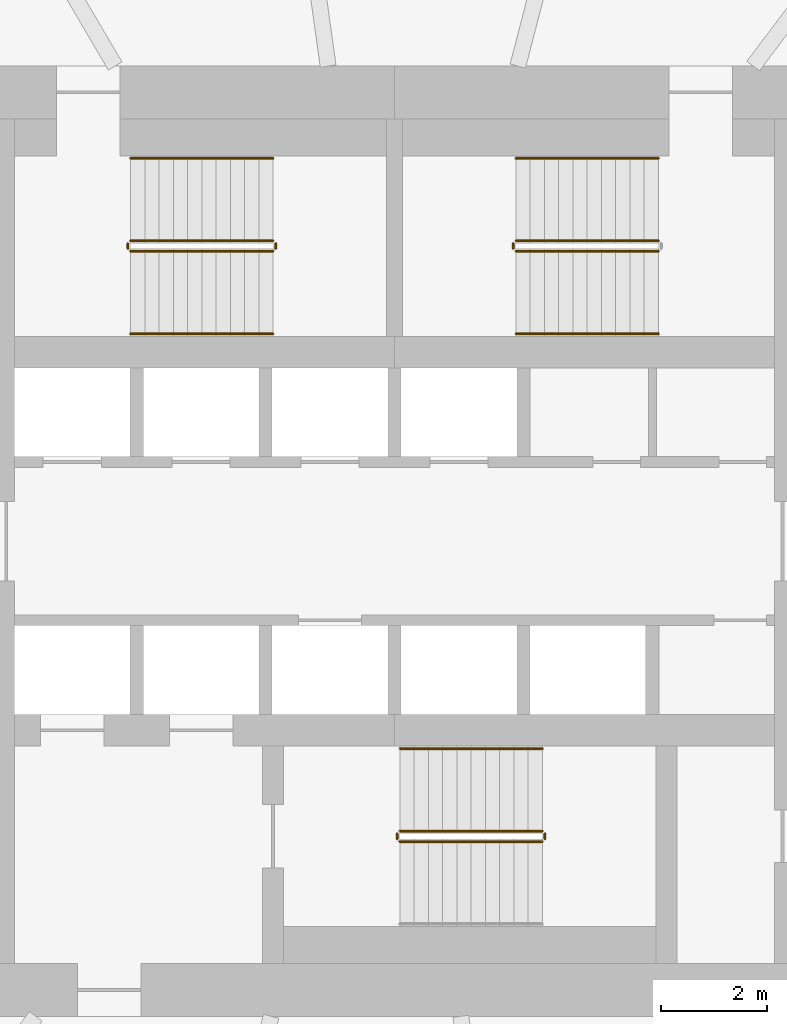
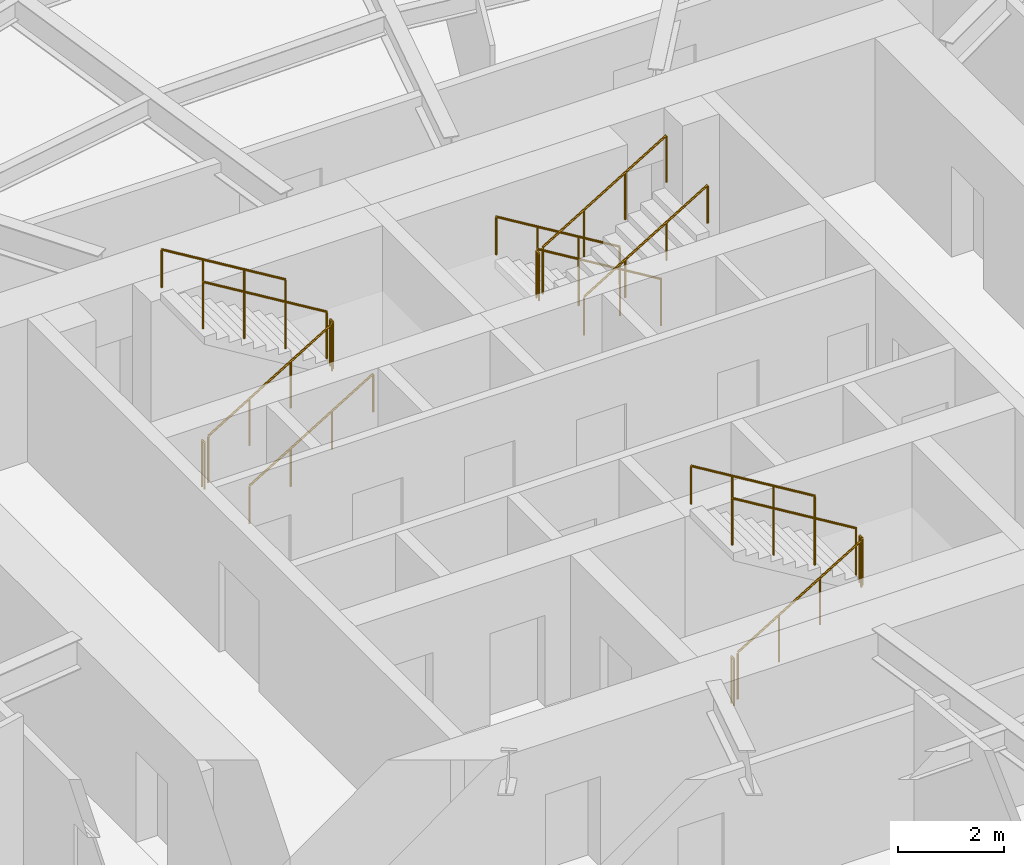
# One storey, part 13 of 16: 16 railings.
"""IFC4 building model written with IfcOpenShell, lengths in metres."""

from ifc_helpers import new_model, si_unit, direction, frame, origin, origin_2d, place, context, subcontext, project, spatial, circle, extrude, material, type_object, element, save


model = new_model("IFC4")

# Units and contexts
model_context = context("Model", 3, precision=1e-05, world=origin(), true_north=direction((0.0, 1.0)))
body_context = subcontext(model_context, "Body", "Model", "MODEL_VIEW")
ifc_project = project(units=[si_unit("LENGTHUNIT", "METRE"), si_unit("AREAUNIT", "SQUARE_METRE"), si_unit("VOLUMEUNIT", "CUBIC_METRE"), si_unit("PLANEANGLEUNIT", "RADIAN"), si_unit("MASSUNIT", "GRAM", prefix="KILO")], contexts=[model_context])

# Site, building, storey
site_placement = place(None, origin())
site = spatial("IfcSite", under=ifc_project, at=site_placement, CompositionType="ELEMENT")
building_placement = place(site_placement, origin())
building = spatial("IfcBuilding", under=site, at=building_placement, Name="Vermilion Reach Broadcast Tower", CompositionType="ELEMENT")
storey_placement = place(building_placement, frame((0.0, 0.0, 88.60009765625)))
storey = spatial("IfcBuildingStorey", under=building, at=storey_placement, Name="L19", CompositionType="ELEMENT", Elevation=88.60009765625)

# Railings
ifc_material_1 = material(Name="Stainless steel", Category="steel")
railing_type_1 = type_object("IfcRailingType", Name="Stair guard 1100", PredefinedType="GUARDRAIL", material=ifc_material_1)
railing_1_placement = place(storey_placement, frame((-11.0, 5.489990234375, 0.16357421875)))
element("IfcRailing", 1, at=railing_1_placement, inside=storey, type_object=railing_type_1, Name="L19 ST1 stair guard 1", PredefinedType="GUARDRAIL", context=body_context, shape_type="SweptSolid", body=[
    extrude(circle(Radius=0.02392578125, at=origin_2d()), frame((0.0, 0.0, 1.076171875), z_axis=(0.855212373127, 0.0, 0.518277721738), x_axis=(0.0, 1.0, 0.0)), (0.0, 0.0, 1.0), 3.156982421875),
    extrude(circle(Radius=0.02099609375, at=origin_2d()), origin(), (0.0, 0.0, 1.0), 1.052001953125),
    extrude(circle(Radius=0.02099609375, at=origin_2d()), frame((0.89990234375, 0.0, 0.54541015625)), (0.0, 0.0, 1.0), 1.052001953125),
    extrude(circle(Radius=0.02099609375, at=origin_2d()), frame((1.800048828125, 0.0, 1.0908203125)), (0.0, 0.0, 1.0), 1.052001953125),
    extrude(circle(Radius=0.02099609375, at=origin_2d()), frame((2.699951171875, 0.0, 1.63623046875)), (0.0, 0.0, 1.0), 1.052001953125),
])
railing_2_placement = place(storey_placement, frame((-8.25, 5.5400390625, 1.7998046875)))
element("IfcRailing", 2, at=railing_2_placement, inside=storey, type_object=railing_type_1, Name="L19 ST1 stair guard 2", PredefinedType="GUARDRAIL", context=body_context, shape_type="SweptSolid", body=[
    extrude(circle(Radius=0.02392578125, at=origin_2d()), frame((0.0, 0.0, 1.076171875), z_axis=(0.0, 1.0, 0.0), x_axis=(-1.0, 0.0, 0.0)), (0.0, 0.0, 1.0), 0.099853515625),
    extrude(circle(Radius=0.02099609375, at=origin_2d()), origin(), (0.0, 0.0, 1.0), 1.052001953125),
    extrude(circle(Radius=0.02099609375, at=origin_2d()), frame((0.0, 0.099853515625, 0.0)), (0.0, 0.0, 1.0), 1.052001953125),
])
railing_3_placement = place(storey_placement, frame((-8.300048828125, 5.68994140625, 1.963623046875)))
element("IfcRailing", 3, at=railing_3_placement, inside=storey, type_object=railing_type_1, Name="L19 ST1 stair guard 3", PredefinedType="GUARDRAIL", context=body_context, shape_type="SweptSolid", body=[
    extrude(circle(Radius=0.02392578125, at=origin_2d()), frame((0.0, 0.0, 1.076171875), z_axis=(-0.855212373127, 0.0, 0.518277721738), x_axis=(0.0, -1.0, 0.0)), (0.0, 0.0, 1.0), 3.156982421875),
    extrude(circle(Radius=0.02099609375, at=origin_2d()), origin(), (0.0, 0.0, 1.0), 1.052001953125),
    extrude(circle(Radius=0.02099609375, at=origin_2d()), frame((-0.89990234375, 0.0, 0.54541015625)), (0.0, 0.0, 1.0), 1.052001953125),
    extrude(circle(Radius=0.02099609375, at=origin_2d()), frame((-1.800048828125, 0.0, 1.0908203125)), (0.0, 0.0, 1.0), 1.052001953125),
    extrude(circle(Radius=0.02099609375, at=origin_2d()), frame((-2.699951171875, 0.0, 1.63623046875)), (0.0, 0.0, 1.0), 1.052001953125),
])
railing_4_placement = place(storey_placement, frame((-11.050048828125, 5.5400390625, 0.0)))
element("IfcRailing", 4, at=railing_4_placement, inside=storey, type_object=railing_type_1, Name="L19 ST1 stair guard 4", PredefinedType="GUARDRAIL", context=body_context, shape_type="SweptSolid", body=[
    extrude(circle(Radius=0.02392578125, at=origin_2d()), frame((0.0, 0.0, 1.076171875), z_axis=(0.0, 1.0, 0.0), x_axis=(-1.0, 0.0, 0.0)), (0.0, 0.0, 1.0), 0.099853515625),
    extrude(circle(Radius=0.02099609375, at=origin_2d()), origin(), (0.0, 0.0, 1.0), 1.052001953125),
    extrude(circle(Radius=0.02099609375, at=origin_2d()), frame((0.0, 0.099853515625, 0.0)), (0.0, 0.0, 1.0), 1.052001953125),
])
railing_5_placement = place(storey_placement, frame((-1.0, 5.68994140625, 0.16357421875)))
element("IfcRailing", 5, at=railing_5_placement, inside=storey, type_object=railing_type_1, Name="L19 ST2 stair guard 1", PredefinedType="GUARDRAIL", context=body_context, shape_type="SweptSolid", body=[
    extrude(circle(Radius=0.02392578125, at=origin_2d()), frame((0.0, 0.0, 1.076171875), z_axis=(-0.855212373127, 0.0, 0.518277721738), x_axis=(0.0, -1.0, 0.0)), (0.0, 0.0, 1.0), 3.156982421875),
    extrude(circle(Radius=0.02099609375, at=origin_2d()), origin(), (0.0, 0.0, 1.0), 1.052001953125),
    extrude(circle(Radius=0.02099609375, at=origin_2d()), frame((-0.89990234375, 0.0, 0.54541015625)), (0.0, 0.0, 1.0), 1.052001953125),
    extrude(circle(Radius=0.02099609375, at=origin_2d()), frame((-1.800048828125, 0.0, 1.0908203125)), (0.0, 0.0, 1.0), 1.052001953125),
    extrude(circle(Radius=0.02099609375, at=origin_2d()), frame((-2.699951171875, 0.0, 1.63623046875)), (0.0, 0.0, 1.0), 1.052001953125),
])
railing_6_placement = place(storey_placement, frame((-3.75, 5.639892578125, 1.7998046875)))
element("IfcRailing", 6, at=railing_6_placement, inside=storey, type_object=railing_type_1, Name="L19 ST2 stair guard 2", PredefinedType="GUARDRAIL", context=body_context, shape_type="SweptSolid", body=[
    extrude(circle(Radius=0.02392578125, at=origin_2d()), frame((0.0, 0.0, 1.076171875), z_axis=(0.0, -1.0, 0.0), x_axis=(1.0, 0.0, 0.0)), (0.0, 0.0, 1.0), 0.099853515625),
    extrude(circle(Radius=0.02099609375, at=origin_2d()), origin(), (0.0, 0.0, 1.0), 1.052001953125),
    extrude(circle(Radius=0.02099609375, at=origin_2d()), frame((0.0, -0.099853515625, 0.0)), (0.0, 0.0, 1.0), 1.052001953125),
])
for number, where, name in (
    (7, (-3.699951171875, 5.489990234375, 1.963623046875), "L19 ST2 stair guard 3"),
    (8, (-5.89990234375, -5.68994140625, 0.16357421875), "L19 ST3 stair guard 1"),
):
    element("IfcRailing", number, at=place(storey_placement, frame(where)), inside=storey, type_object=railing_type_1, Name=name, PredefinedType="GUARDRAIL", context=body_context, shape_type="SweptSolid", body=[
        extrude(circle(Radius=0.02392578125, at=origin_2d()), frame((0.0, 0.0, 1.076171875), z_axis=(0.855212373127, 0.0, 0.518277721738), x_axis=(0.0, 1.0, 0.0)), (0.0, 0.0, 1.0), 3.156982421875),
        extrude(circle(Radius=0.02099609375, at=origin_2d()), origin(), (0.0, 0.0, 1.0), 1.052001953125),
        extrude(circle(Radius=0.02099609375, at=origin_2d()), frame((0.89990234375, 0.0, 0.54541015625)), (0.0, 0.0, 1.0), 1.052001953125),
        extrude(circle(Radius=0.02099609375, at=origin_2d()), frame((1.800048828125, 0.0, 1.0908203125)), (0.0, 0.0, 1.0), 1.052001953125),
        extrude(circle(Radius=0.02099609375, at=origin_2d()), frame((2.699951171875, 0.0, 1.63623046875)), (0.0, 0.0, 1.0), 1.052001953125),
    ])
railing_7_placement = place(storey_placement, frame((-3.14990234375, -5.639892578125, 1.7998046875)))
element("IfcRailing", 9, at=railing_7_placement, inside=storey, type_object=railing_type_1, Name="L19 ST3 stair guard 2", PredefinedType="GUARDRAIL", context=body_context, shape_type="SweptSolid", body=[
    extrude(circle(Radius=0.02392578125, at=origin_2d()), frame((0.0, 0.0, 1.076171875), z_axis=(0.0, 1.0, 0.0), x_axis=(-1.0, 0.0, 0.0)), (0.0, 0.0, 1.0), 0.099853515625),
    extrude(circle(Radius=0.02099609375, at=origin_2d()), origin(), (0.0, 0.0, 1.0), 1.052001953125),
    extrude(circle(Radius=0.02099609375, at=origin_2d()), frame((0.0, 0.099853515625, 0.0)), (0.0, 0.0, 1.0), 1.052001953125),
])
railing_8_placement = place(storey_placement, frame((-3.199951171875, -5.489990234375, 1.963623046875)))
element("IfcRailing", 10, at=railing_8_placement, inside=storey, type_object=railing_type_1, Name="L19 ST3 stair guard 3", PredefinedType="GUARDRAIL", context=body_context, shape_type="SweptSolid", body=[
    extrude(circle(Radius=0.02392578125, at=origin_2d()), frame((0.0, 0.0, 1.076171875), z_axis=(-0.855212373127, 0.0, 0.518277721738), x_axis=(0.0, -1.0, 0.0)), (0.0, 0.0, 1.0), 3.156982421875),
    extrude(circle(Radius=0.02099609375, at=origin_2d()), origin(), (0.0, 0.0, 1.0), 1.052001953125),
    extrude(circle(Radius=0.02099609375, at=origin_2d()), frame((-0.89990234375, 0.0, 0.54541015625)), (0.0, 0.0, 1.0), 1.052001953125),
    extrude(circle(Radius=0.02099609375, at=origin_2d()), frame((-1.800048828125, 0.0, 1.0908203125)), (0.0, 0.0, 1.0), 1.052001953125),
    extrude(circle(Radius=0.02099609375, at=origin_2d()), frame((-2.699951171875, 0.0, 1.63623046875)), (0.0, 0.0, 1.0), 1.052001953125),
])
railing_9_placement = place(storey_placement, frame((-5.949951171875, -5.639892578125, 0.0)))
element("IfcRailing", 11, at=railing_9_placement, inside=storey, type_object=railing_type_1, Name="L19 ST3 stair guard 4", PredefinedType="GUARDRAIL", context=body_context, shape_type="SweptSolid", body=[
    extrude(circle(Radius=0.02392578125, at=origin_2d()), frame((0.0, 0.0, 1.076171875), z_axis=(0.0, 1.0, 0.0), x_axis=(-1.0, 0.0, 0.0)), (0.0, 0.0, 1.0), 0.099853515625),
    extrude(circle(Radius=0.02099609375, at=origin_2d()), origin(), (0.0, 0.0, 1.0), 1.052001953125),
    extrude(circle(Radius=0.02099609375, at=origin_2d()), frame((0.0, 0.099853515625, 0.0)), (0.0, 0.0, 1.0), 1.052001953125),
])
ifc_material_2 = material(Name="Stainless steel", Category="steel")
railing_type_2 = type_object("IfcRailingType", Name="Stair handrail", PredefinedType="HANDRAIL", material=ifc_material_2)
railing_10_placement = place(storey_placement, frame((-11.0, 3.929931640625, 0.16357421875)))
element("IfcRailing", 12, at=railing_10_placement, inside=storey, type_object=railing_type_2, Name="L19 ST1 stair handrail 1", PredefinedType="HANDRAIL", context=body_context, shape_type="SweptSolid", body=[
    extrude(circle(Radius=0.02392578125, at=origin_2d()), frame((0.0, 0.0, 0.8759765625), z_axis=(0.855212373127, 0.0, 0.518277721738), x_axis=(0.0, 1.0, 0.0)), (0.0, 0.0, 1.0), 3.156982421875),
    extrude(circle(Radius=0.02099609375, at=origin_2d()), origin(), (0.0, 0.0, 1.0), 0.851806640625),
    extrude(circle(Radius=0.02099609375, at=origin_2d()), frame((0.89990234375, 0.0, 0.54541015625)), (0.0, 0.0, 1.0), 0.851806640625),
    extrude(circle(Radius=0.02099609375, at=origin_2d()), frame((1.800048828125, 0.0, 1.0908203125)), (0.0, 0.0, 1.0), 0.851806640625),
    extrude(circle(Radius=0.02099609375, at=origin_2d()), frame((2.699951171875, 0.0, 1.63623046875)), (0.0, 0.0, 1.0), 0.851806640625),
])
for number, where, name in (
    (13, (-8.300048828125, 7.25, 1.963623046875), "L19 ST1 stair handrail 2"),
    (14, (-1.0, 7.25, 0.16357421875), "L19 ST2 stair handrail 1"),
):
    element("IfcRailing", number, at=place(storey_placement, frame(where)), inside=storey, type_object=railing_type_2, Name=name, PredefinedType="HANDRAIL", context=body_context, shape_type="SweptSolid", body=[
        extrude(circle(Radius=0.02392578125, at=origin_2d()), frame((0.0, 0.0, 0.8759765625), z_axis=(-0.855212373127, 0.0, 0.518277721738), x_axis=(0.0, -1.0, 0.0)), (0.0, 0.0, 1.0), 3.156982421875),
        extrude(circle(Radius=0.02099609375, at=origin_2d()), origin(), (0.0, 0.0, 1.0), 0.851806640625),
        extrude(circle(Radius=0.02099609375, at=origin_2d()), frame((-0.89990234375, 0.0, 0.54541015625)), (0.0, 0.0, 1.0), 0.851806640625),
        extrude(circle(Radius=0.02099609375, at=origin_2d()), frame((-1.800048828125, 0.0, 1.0908203125)), (0.0, 0.0, 1.0), 0.851806640625),
        extrude(circle(Radius=0.02099609375, at=origin_2d()), frame((-2.699951171875, 0.0, 1.63623046875)), (0.0, 0.0, 1.0), 0.851806640625),
    ])
railing_11_placement = place(storey_placement, frame((-3.699951171875, 3.929931640625, 1.963623046875)))
element("IfcRailing", 15, at=railing_11_placement, inside=storey, type_object=railing_type_2, Name="L19 ST2 stair handrail 2", PredefinedType="HANDRAIL", context=body_context, shape_type="SweptSolid", body=[
    extrude(circle(Radius=0.02392578125, at=origin_2d()), frame((0.0, 0.0, 0.8759765625), z_axis=(0.855212373127, 0.0, 0.518277721738), x_axis=(0.0, 1.0, 0.0)), (0.0, 0.0, 1.0), 3.156982421875),
    extrude(circle(Radius=0.02099609375, at=origin_2d()), origin(), (0.0, 0.0, 1.0), 0.851806640625),
    extrude(circle(Radius=0.02099609375, at=origin_2d()), frame((0.89990234375, 0.0, 0.54541015625)), (0.0, 0.0, 1.0), 0.851806640625),
    extrude(circle(Radius=0.02099609375, at=origin_2d()), frame((1.800048828125, 0.0, 1.0908203125)), (0.0, 0.0, 1.0), 0.851806640625),
    extrude(circle(Radius=0.02099609375, at=origin_2d()), frame((2.699951171875, 0.0, 1.63623046875)), (0.0, 0.0, 1.0), 0.851806640625),
])
railing_12_placement = place(storey_placement, frame((-3.199951171875, -3.929931640625, 1.963623046875)))
element("IfcRailing", 16, at=railing_12_placement, inside=storey, type_object=railing_type_2, Name="L19 ST3 stair handrail 2", PredefinedType="HANDRAIL", context=body_context, shape_type="SweptSolid", body=[
    extrude(circle(Radius=0.02392578125, at=origin_2d()), frame((0.0, 0.0, 0.8759765625), z_axis=(-0.855212373127, 0.0, 0.518277721738), x_axis=(0.0, -1.0, 0.0)), (0.0, 0.0, 1.0), 3.156982421875),
    extrude(circle(Radius=0.02099609375, at=origin_2d()), origin(), (0.0, 0.0, 1.0), 0.851806640625),
    extrude(circle(Radius=0.02099609375, at=origin_2d()), frame((-0.89990234375, 0.0, 0.54541015625)), (0.0, 0.0, 1.0), 0.851806640625),
    extrude(circle(Radius=0.02099609375, at=origin_2d()), frame((-1.800048828125, 0.0, 1.0908203125)), (0.0, 0.0, 1.0), 0.851806640625),
    extrude(circle(Radius=0.02099609375, at=origin_2d()), frame((-2.699951171875, 0.0, 1.63623046875)), (0.0, 0.0, 1.0), 0.851806640625),
])

save(model, "model.ifc")
